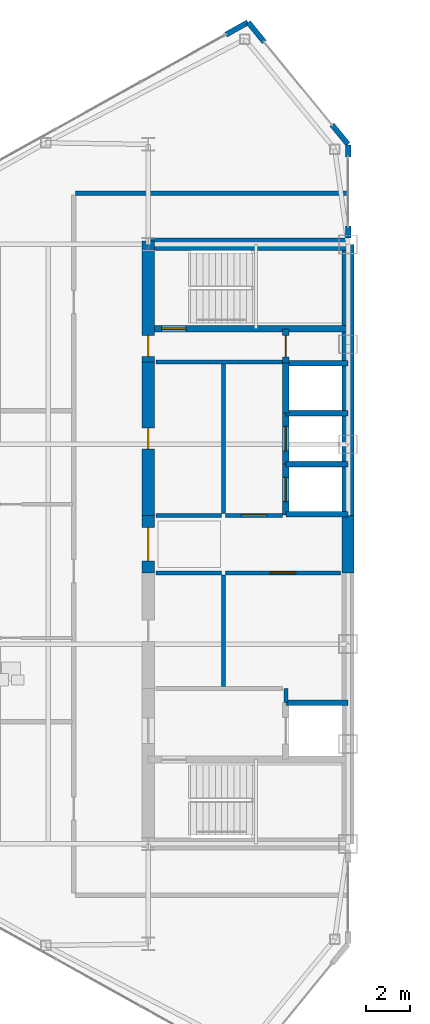
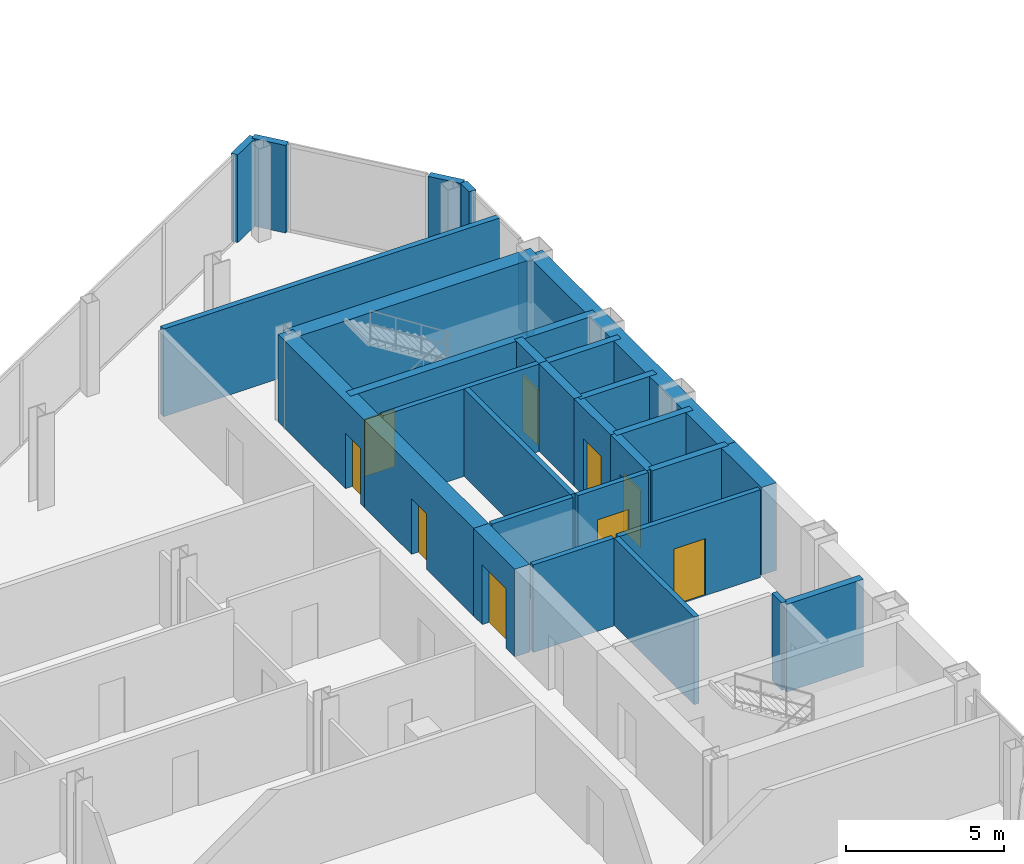
# One storey, part 20 of 26: 30 walls, 9 doors, 9 openings.
"""IFC4 building model written with IfcOpenShell, lengths in metres."""

from ifc_helpers import new_model, si_unit, direction, frame, frame_2d, origin, place, context, subcontext, project, spatial, rectangle, extrude, source, transform, mapped, material, layer, layer_set, type_object, type_shapes, element, fill, save


model = new_model("IFC4")

# Units and contexts
model_context = context("Model", 3, precision=1e-05, world=origin(), true_north=direction((0.0, 1.0)))
body_context = subcontext(model_context, "Body", "Model", "MODEL_VIEW")
ifc_project = project(units=[si_unit("LENGTHUNIT", "METRE"), si_unit("AREAUNIT", "SQUARE_METRE"), si_unit("VOLUMEUNIT", "CUBIC_METRE"), si_unit("PLANEANGLEUNIT", "RADIAN"), si_unit("MASSUNIT", "GRAM", prefix="KILO")], contexts=[model_context])

# Site, building, storey
site_placement = place(None, origin())
site = spatial("IfcSite", under=ifc_project, at=site_placement, CompositionType="ELEMENT")
building_placement = place(site_placement, origin())
building = spatial("IfcBuilding", under=site, at=building_placement, Name="Seokmaru Belvedere", CompositionType="ELEMENT")
storey_placement = place(building_placement, frame((0.0, 0.0, 170.699951171875)))
storey = spatial("IfcBuildingStorey", under=building, at=storey_placement, Name="L45", CompositionType="ELEMENT", Elevation=170.699951171875)

# Walls
ifc_material_1 = material(Name="Fire-Rated Gypsum Shaftwall")
ifc_layer_1 = layer(ifc_material_1, 0.179931640625)
ifc_layer_set_1 = layer_set([ifc_layer_1], Name="Fire-Rated Gypsum Shaftwall")
wall_type_1 = type_object("IfcWallType", Name="Core Service Fire Partition 180", PredefinedType="PARTITIONING", material=ifc_layer_set_1)
wall_1_placement = place(storey_placement, frame((-30.300048828125, -7.1201171875, 0.0), z_axis=(0.0, 0.0, 1.0), x_axis=(0.0, 1.0, 0.0)))
element("IfcWall", 1, at=wall_1_placement, inside=storey, type_object=wall_type_1, Name="L45 West Firefighting Lobby East Closure Wall", PredefinedType="PARTITIONING", context=body_context, shape_type="SweptSolid", body=[
    extrude(rectangle(XDim=0.6201171875, YDim=0.179931640625, at=frame_2d((0.31005859375, 0.0))), origin(), (0.0, 0.0, 1.0), 3.380126953125),
])
wall_2_placement = place(storey_placement, frame((-36.14990234375, 8.199951171875, 0.0), z_axis=(0.0, 0.0, 1.0), x_axis=(1.0, 0.0, 0.0)))
element("IfcWall", 2, at=wall_2_placement, inside=storey, type_object=wall_type_1, Name="L45 West Smokeproof Vestibule Partition", PredefinedType="PARTITIONING", context=body_context, shape_type="SweptSolid", body=[
    extrude(rectangle(XDim=5.699951171875, YDim=0.179931640625, at=frame_2d((2.85009765625, 0.0))), origin(), (0.0, 0.0, 1.0), 3.380126953125),
])
wall_3_placement = place(storey_placement, frame((-33.10009765625, -6.419921875, 0.0), z_axis=(0.0, 0.0, 1.0), x_axis=(0.0, 1.0, 0.0)))
element("IfcWall", 3, at=wall_3_placement, inside=storey, type_object=wall_type_1, Name="L45 West South Core Service Back Wall", PredefinedType="PARTITIONING", context=body_context, shape_type="SweptSolid", body=[
    extrude(rectangle(XDim=5.0400390625, YDim=0.179931640625, at=frame_2d((2.52001953125, 0.0))), origin(), (0.0, 0.0, 1.0), 3.380126953125),
])
wall_4_placement = place(storey_placement, frame((-33.10009765625, 1.3798828125, 0.0), z_axis=(0.0, 0.0, 1.0), x_axis=(0.0, 1.0, 0.0)))
element("IfcWall", 4, at=wall_4_placement, inside=storey, type_object=wall_type_1, Name="L45 West North Core Service Back Wall", PredefinedType="PARTITIONING", context=body_context, shape_type="SweptSolid", body=[
    extrude(rectangle(XDim=6.740234375, YDim=0.179931640625, at=frame_2d((3.3701171875, 0.0))), origin(), (0.0, 0.0, 1.0), 3.380126953125),
])

# Wall, opening, door
wall_5_placement = place(storey_placement, frame((-33.02001953125, -1.300048828125, 0.0), z_axis=(0.0, 0.0, 1.0), x_axis=(1.0, 0.0, 0.0)))
wall_5 = element("IfcWall", 5, at=wall_5_placement, inside=storey, type_object=wall_type_1, Name="L45 West South Lift Lobby Foyer Wall", PredefinedType="PARTITIONING", context=body_context, shape_type="SweptSolid", body=[
    extrude(rectangle(XDim=5.169921875, YDim=0.179931640625, at=frame_2d((2.5849609375, 0.0))), origin(), (0.0, 0.0, 1.0), 3.380126953125),
])
opening_1_placement = place(wall_5_placement, frame((2.010009765625, 0.0, 0.0)))
opening_1 = element("IfcOpeningElement", 6, at=opening_1_placement, cuts=wall_5, Name="Opening D02", PredefinedType="OPENING", context=body_context, shape_type="SweptSolid", body=[
    extrude(rectangle(XDim=1.14990234375, YDim=2.199951171875, at=frame_2d((0.574951171875, 1.10009765625))), frame((0.0, 0.10009765625, 0.0), z_axis=(0.0, -1.0, 0.0), x_axis=(1.0, 0.0, 0.0)), (0.0, 0.0, 1.0), 0.199951171875),
])
ifc_material_2 = material(Name="Fire-Rated Steel Leaf", Category="steel")
door_type_1 = type_object("IfcDoorType", Name="Lobby and Vestibule Fire Door 1150x2200", OperationType="NOTDEFINED", PredefinedType="DOOR", material=ifc_material_2)
shared_shape_1 = source(origin(), body_context, "Body", "SweptSolid", [
    extrude(rectangle(XDim=1.14990234375, YDim=2.199951171875, at=frame_2d((0.574951171875, 1.10009765625))), frame((0.0, 0.02490234375, 0.0), z_axis=(0.0, -1.0, 0.0), x_axis=(1.0, 0.0, 0.0)), (0.0, 0.0, 1.0), 0.050048828125),
])
type_shapes(door_type_1, [shared_shape_1])
door_1_placement = place(opening_1_placement, origin())
door_1 = element("IfcDoor", 7, at=door_1_placement, inside=storey, type_object=door_type_1, Name="L45 West South Core Foyer Door", OperationType="SINGLE_SWING_LEFT", OverallHeight=2.199951171875, OverallWidth=1.14990234375, PredefinedType="DOOR", context=body_context, shape_type="MappedRepresentation", body=[
    mapped(shared_shape_1, transform((0.0, 0.0, 0.0), scale=1.0)),
])
fill(opening_1, door_1)

wall_6_placement = place(storey_placement, frame((-33.02001953125, 1.300048828125, 0.0), z_axis=(0.0, 0.0, 1.0), x_axis=(1.0, 0.0, 0.0)))
wall_6 = element("IfcWall", 8, at=wall_6_placement, inside=storey, type_object=wall_type_1, Name="L45 West North Lift Lobby Foyer Wall", PredefinedType="PARTITIONING", context=body_context, shape_type="SweptSolid", body=[
    extrude(rectangle(XDim=2.570068359375, YDim=0.179931640625, at=frame_2d((1.28515625, 0.0))), origin(), (0.0, 0.0, 1.0), 3.380126953125),
])
opening_2_placement = place(wall_6_placement, frame((0.7099609375, 0.0, 0.0)))
opening_2 = element("IfcOpeningElement", 9, at=opening_2_placement, cuts=wall_6, Name="Opening D02", PredefinedType="OPENING", context=body_context, shape_type="SweptSolid", body=[
    extrude(rectangle(XDim=1.14990234375, YDim=2.199951171875, at=frame_2d((0.574951171875, 1.10009765625))), frame((0.0, 0.10009765625, 0.0), z_axis=(0.0, -1.0, 0.0), x_axis=(1.0, 0.0, 0.0)), (0.0, 0.0, 1.0), 0.199951171875),
])
door_2_placement = place(opening_2_placement, origin())
door_2 = element("IfcDoor", 10, at=door_2_placement, inside=storey, type_object=door_type_1, Name="L45 West North Lift Lobby Door", OperationType="SINGLE_SWING_RIGHT", OverallHeight=2.199951171875, OverallWidth=1.14990234375, PredefinedType="DOOR", context=body_context, shape_type="MappedRepresentation", body=[
    mapped(shared_shape_1, transform((0.0, 0.0, 0.0), scale=1.0)),
])
fill(opening_2, door_2)

# Walls
for number, where, z_axis, x_axis, name in (
    (11, (-36.14990234375, -1.300048828125, 0.0), (0.0, 0.0, 1.0), (1.0, 0.0, 0.0), "L45 West Foyer Side Wall S"),
    (12, (-36.14990234375, 1.300048828125, 0.0), (0.0, 0.0, 1.0), (1.0, 0.0, 0.0), "L45 West Foyer Side Wall N"),
):
    element("IfcWall", number, at=place(storey_placement, frame(where, z_axis=z_axis, x_axis=x_axis)), inside=storey, type_object=wall_type_1, Name=name, PredefinedType="PARTITIONING", context=body_context, shape_type="SweptSolid", body=[
        extrude(rectangle(XDim=2.949951171875, YDim=0.179931640625, at=frame_2d((1.47509765625, 0.0))), origin(), (0.0, 0.0, 1.0), 3.380126953125),
    ])
ifc_material_3 = material(Name="Concrete C50 (50 MPa)", Category="concrete")
ifc_layer_2 = layer(ifc_material_3, 0.25)
ifc_layer_set_2 = layer_set([ifc_layer_2], Name="Concrete C50 (50 MPa)")
wall_type_2 = type_object("IfcWallType", Name="Hoistway Transverse Concrete Divider Wall 250", PredefinedType="SHEAR", material=ifc_layer_set_2)
for number, where, z_axis, x_axis, name in (
    (13, (-30.300048828125, -7.14990234375, 0.0), (0.0, 0.0, 1.0), (1.0, 0.0, 0.0), "L45 West Hoistway Divider Core Wall 1"),
    (14, (-30.300048828125, 1.35009765625, 0.0), (0.0, 0.0, 1.0), (1.0, 0.0, 0.0), "L45 West Hoistway Divider Core Wall 2"),
    (15, (-30.300048828125, 3.60009765625, 0.0), (0.0, 0.0, 1.0), (1.0, 0.0, 0.0), "L45 West Hoistway Divider Core Wall 3"),
    (16, (-30.300048828125, 5.89990234375, 0.0), (0.0, 0.0, 1.0), (1.0, 0.0, 0.0), "L45 West Hoistway Divider Core Wall 4"),
    (17, (-30.300048828125, 8.14990234375, 0.0), (0.0, 0.0, 1.0), (1.0, 0.0, 0.0), "L45 West Hoistway Divider Core Wall 5"),
):
    element("IfcWall", number, at=place(storey_placement, frame(where, z_axis=z_axis, x_axis=x_axis)), inside=storey, type_object=wall_type_2, Name=name, PredefinedType="SHEAR", context=body_context, shape_type="SweptSolid", body=[
        extrude(rectangle(XDim=2.800048828125, YDim=0.25, at=frame_2d((1.39990234375, 0.0))), origin(), (0.0, 0.0, 1.0), 3.380126953125),
    ])
ifc_layer_3 = layer(ifc_material_1, 0.199951171875)
ifc_layer_set_3 = layer_set([ifc_layer_3], Name="Fire-Rated Gypsum Shaftwall")
wall_type_3 = type_object("IfcWallType", Name="Inter-Tenancy Fire Compartment Partition 200", PredefinedType="PARTITIONING", material=ifc_layer_set_3)
wall_7_placement = place(storey_placement, frame((-39.764892578125, 15.800048828125, 0.0), z_axis=(0.0, 0.0, 1.0), x_axis=(1.0, 0.0, 0.0)))
element("IfcWall", 18, at=wall_7_placement, inside=storey, type_object=wall_type_3, Name="L45 Interior Partition 019", PredefinedType="PARTITIONING", context=body_context, shape_type="SweptSolid", body=[
    extrude(rectangle(XDim=12.264892578125, YDim=0.199951171875, at=frame_2d((6.13232421875, 0.0))), origin(), (0.0, 0.0, 1.0), 3.380126953125),
])

# Wall, opening, door
ifc_layer_4 = layer(ifc_material_3, 0.300048828125)
ifc_layer_set_4 = layer_set([ifc_layer_4], Name="Concrete C50 (50 MPa)")
wall_type_4 = type_object("IfcWallType", Name="Internal Core Stair and Hoistway Wall 300", PredefinedType="SHEAR", material=ifc_layer_set_4)
wall_8_placement = place(storey_placement, frame((-36.5, 9.699951171875, 0.0), z_axis=(0.0, 0.0, 1.0), x_axis=(1.0, 0.0, 0.0)))
wall_8 = element("IfcWall", 19, at=wall_8_placement, inside=storey, type_object=wall_type_4, Name="L45 West Stair ST-2 Enclosure Wall", PredefinedType="SHEAR", context=body_context, shape_type="SweptSolid", body=[
    extrude(rectangle(XDim=9.0, YDim=0.300048828125, at=frame_2d((4.5, 0.0))), origin(), (0.0, 0.0, 1.0), 3.380126953125),
])
opening_3_placement = place(wall_8_placement, frame((0.60009765625, 0.0, 0.0)))
opening_3 = element("IfcOpeningElement", 20, at=opening_3_placement, cuts=wall_8, Name="Opening D01", PredefinedType="OPENING", context=body_context, shape_type="SweptSolid", body=[
    extrude(rectangle(XDim=1.10009765625, YDim=2.199951171875, at=frame_2d((0.550048828125, 1.10009765625))), frame((0.0, 0.16015625, 0.0), z_axis=(0.0, -1.0, 0.0), x_axis=(1.0, 0.0, 0.0)), (0.0, 0.0, 1.0), 0.320068359375),
])
door_type_2 = type_object("IfcDoorType", Name="Special Escape Stair Smokeproof Fire Door 1100x2200", OperationType="NOTDEFINED", PredefinedType="DOOR", material=ifc_material_2)
shared_shape_2 = source(origin(), body_context, "Body", "SweptSolid", [
    extrude(rectangle(XDim=1.10009765625, YDim=2.199951171875, at=frame_2d((0.550048828125, 1.10009765625))), frame((0.0, 0.02490234375, 0.0), z_axis=(0.0, -1.0, 0.0), x_axis=(1.0, 0.0, 0.0)), (0.0, 0.0, 1.0), 0.050048828125),
])
type_shapes(door_type_2, [shared_shape_2])
door_3_placement = place(opening_3_placement, origin())
door_3 = element("IfcDoor", 21, at=door_3_placement, inside=storey, type_object=door_type_2, Name="L45 West Special Escape Stair ST-2 Door", OperationType="SINGLE_SWING_RIGHT", OverallHeight=2.199951171875, OverallWidth=1.10009765625, PredefinedType="DOOR", context=body_context, shape_type="MappedRepresentation", body=[
    mapped(shared_shape_2, transform((0.0, 0.0, 0.0), scale=1.0)),
])
fill(opening_3, door_3)

wall_9_placement = place(storey_placement, frame((-30.300048828125, 1.320068359375, 0.0), z_axis=(0.0, 0.0, 1.0), x_axis=(0.0, 1.0, 0.0)))
wall_9 = element("IfcWall", 22, at=wall_9_placement, inside=storey, type_object=wall_type_4, Name="L45 West North Hoistway Wall PH1", PredefinedType="SHEAR", context=body_context, shape_type="SweptSolid", body=[
    extrude(rectangle(XDim=2.280029296875, YDim=0.300048828125, at=frame_2d((1.14013671875, 0.0))), origin(), (0.0, 0.0, 1.0), 3.380126953125),
])
opening_4_placement = place(wall_9_placement, frame((0.590087890625, 0.0, 0.0)))
opening_4 = element("IfcOpeningElement", 23, at=opening_4_placement, cuts=wall_9, Name="Opening LD1", PredefinedType="OPENING", context=body_context, shape_type="SweptSolid", body=[
    extrude(rectangle(XDim=1.10009765625, YDim=2.199951171875, at=frame_2d((0.550048828125, 1.10009765625))), frame((0.0, 0.16015625, 0.0), z_axis=(0.0, -1.0, 0.0), x_axis=(1.0, 0.0, 0.0)), (0.0, 0.0, 1.0), 0.320068359375),
])
ifc_material_4 = material(Name="Stainless Steel 316", Category="steel")
door_type_3 = type_object("IfcDoorType", Name="Passenger Lift Sliding Landing Door 1100x2200", OperationType="DOUBLE_DOOR_SLIDING", PredefinedType="DOOR", material=ifc_material_4)
shared_shape_3 = source(origin(), body_context, "Body", "SweptSolid", [
    extrude(rectangle(XDim=1.10009765625, YDim=2.199951171875, at=frame_2d((0.550048828125, 1.10009765625))), frame((0.0, 0.02490234375, 0.0), z_axis=(0.0, -1.0, 0.0), x_axis=(1.0, 0.0, 0.0)), (0.0, 0.0, 1.0), 0.050048828125),
])
type_shapes(door_type_3, [shared_shape_3])
door_4_placement = place(opening_4_placement, origin())
door_4 = element("IfcDoor", 24, at=door_4_placement, inside=storey, type_object=door_type_3, Name="L45 West High-Rise Lift PH-1 Landing Door", OperationType="DOUBLE_DOOR_SLIDING", OverallHeight=2.199951171875, OverallWidth=1.10009765625, PredefinedType="DOOR", context=body_context, shape_type="MappedRepresentation", body=[
    mapped(shared_shape_3, transform((0.0, 0.0, 0.0), scale=1.0)),
])
fill(opening_4, door_4)

wall_10_placement = place(storey_placement, frame((-30.300048828125, 3.60009765625, 0.0), z_axis=(0.0, 0.0, 1.0), x_axis=(0.0, 1.0, 0.0)))
wall_10 = element("IfcWall", 25, at=wall_10_placement, inside=storey, type_object=wall_type_4, Name="L45 West North Hoistway Wall PH2", PredefinedType="SHEAR", context=body_context, shape_type="SweptSolid", body=[
    extrude(rectangle(XDim=2.2998046875, YDim=0.300048828125, at=frame_2d((1.14990234375, 0.0))), origin(), (0.0, 0.0, 1.0), 3.380126953125),
])
opening_5_placement = place(wall_10_placement, frame((0.60009765625, 0.0, 0.0)))
opening_5 = element("IfcOpeningElement", 26, at=opening_5_placement, cuts=wall_10, Name="Opening LD1", PredefinedType="OPENING", context=body_context, shape_type="SweptSolid", body=[
    extrude(rectangle(XDim=1.10009765625, YDim=2.199951171875, at=frame_2d((0.550048828125, 1.10009765625))), frame((0.0, 0.16015625, 0.0), z_axis=(0.0, -1.0, 0.0), x_axis=(1.0, 0.0, 0.0)), (0.0, 0.0, 1.0), 0.320068359375),
])
door_5_placement = place(opening_5_placement, origin())
door_5 = element("IfcDoor", 27, at=door_5_placement, inside=storey, type_object=door_type_3, Name="L45 West High-Rise Lift PH-2 Landing Door", OperationType="DOUBLE_DOOR_SLIDING", OverallHeight=2.199951171875, OverallWidth=1.10009765625, PredefinedType="DOOR", context=body_context, shape_type="MappedRepresentation", body=[
    mapped(shared_shape_3, transform((0.0, 0.0, 0.0), scale=1.0)),
])
fill(opening_5, door_5)

# Wall
wall_11_placement = place(storey_placement, frame((-30.300048828125, 5.89990234375, 0.0), z_axis=(0.0, 0.0, 1.0), x_axis=(0.0, 1.0, 0.0)))
element("IfcWall", 28, at=wall_11_placement, inside=storey, type_object=wall_type_4, Name="L45 West North Hoistway Wall OBS", PredefinedType="SHEAR", context=body_context, shape_type="SweptSolid", body=[
    extrude(rectangle(XDim=2.25, YDim=0.300048828125, at=frame_2d((1.125, 0.0))), origin(), (0.0, 0.0, 1.0), 3.380126953125),
])

# Wall, opening, door
wall_12_placement = place(storey_placement, frame((-30.300048828125, 8.14990234375, 0.0), z_axis=(0.0, 0.0, 1.0), x_axis=(0.0, 1.0, 0.0)))
wall_12 = element("IfcWall", 29, at=wall_12_placement, inside=storey, type_object=wall_type_4, Name="L45 West Electrical Riser Front Wall", PredefinedType="SHEAR", context=body_context, shape_type="SweptSolid", body=[
    extrude(rectangle(XDim=1.530029296875, YDim=0.300048828125, at=frame_2d((0.76513671875, 0.0))), origin(), (0.0, 0.0, 1.0), 3.380126953125),
])
opening_6_placement = place(wall_12_placement, frame((0.284912109375, 0.0, 0.0)))
opening_6 = element("IfcOpeningElement", 30, at=opening_6_placement, cuts=wall_12, Name="Opening D04", PredefinedType="OPENING", context=body_context, shape_type="SweptSolid", body=[
    extrude(rectangle(XDim=0.949951171875, YDim=2.14990234375, at=frame_2d((0.47509765625, 1.074951171875))), frame((0.0, 0.16015625, 0.0), z_axis=(0.0, -1.0, 0.0), x_axis=(1.0, 0.0, 0.0)), (0.0, 0.0, 1.0), 0.320068359375),
])
door_type_4 = type_object("IfcDoorType", Name="Core Service Room Fire Door 950x2150", OperationType="NOTDEFINED", PredefinedType="DOOR", material=ifc_material_2)
shared_shape_4 = source(origin(), body_context, "Body", "SweptSolid", [
    extrude(rectangle(XDim=0.949951171875, YDim=2.14990234375, at=frame_2d((0.47509765625, 1.074951171875))), frame((0.0, 0.02490234375, 0.0), z_axis=(0.0, -1.0, 0.0), x_axis=(1.0, 0.0, 0.0)), (0.0, 0.0, 1.0), 0.050048828125),
])
type_shapes(door_type_4, [shared_shape_4])
door_6_placement = place(opening_6_placement, origin())
door_6 = element("IfcDoor", 31, at=door_6_placement, inside=storey, type_object=door_type_4, Name="L45 West Electrical Riser Access Door", OperationType="SINGLE_SWING_LEFT", OverallHeight=2.14990234375, OverallWidth=0.949951171875, PredefinedType="DOOR", context=body_context, shape_type="MappedRepresentation", body=[
    mapped(shared_shape_4, transform((0.0, 0.0, 0.0), scale=1.0)),
])
fill(opening_6, door_6)

# Walls
ifc_layer_5 = layer(ifc_material_3, 0.550048828125)
ifc_layer_set_5 = layer_set([ifc_layer_5], Name="Concrete C50 (50 MPa)")
wall_type_5 = type_object("IfcWallType", Name="Mid-High Reinforced Concrete Core Wall 550", PredefinedType="SHEAR", material=ifc_layer_set_5)
wall_13_placement = place(storey_placement, frame((-27.5, 1.300048828125, 0.0), z_axis=(0.0, 0.0, 1.0), x_axis=(0.0, 1.0, 0.0)))
element("IfcWall", 32, at=wall_13_placement, inside=storey, type_object=wall_type_5, Name="L45 West Portal Spine Core Wall North", PredefinedType="SHEAR", context=body_context, shape_type="SweptSolid", body=[
    extrude(rectangle(XDim=12.199951171875, YDim=0.550048828125, at=frame_2d((6.10009765625, 0.0))), origin(), (0.0, 0.0, 1.0), 3.380126953125),
])
wall_14_placement = place(storey_placement, frame((-27.5, -1.300048828125, 0.0), z_axis=(0.0, 0.0, 1.0), x_axis=(0.0, 1.0, 0.0)))
element("IfcWall", 33, at=wall_14_placement, inside=storey, type_object=wall_type_5, Name="L45 West Portal Spine Core Wall Center", PredefinedType="SHEAR", context=body_context, shape_type="SweptSolid", body=[
    extrude(rectangle(XDim=2.60009765625, YDim=0.550048828125, at=frame_2d((1.300048828125, 0.0))), origin(), (0.0, 0.0, 1.0), 3.380126953125),
])
wall_15_placement = place(storey_placement, frame((-36.5, 13.5, 0.0), z_axis=(0.0, 0.0, 1.0), x_axis=(1.0, 0.0, 0.0)))
element("IfcWall", 34, at=wall_15_placement, inside=storey, type_object=wall_type_5, Name="L45 West North Core Wall", PredefinedType="SHEAR", context=body_context, shape_type="SweptSolid", body=[
    extrude(rectangle(XDim=9.0, YDim=0.550048828125, at=frame_2d((4.5, 0.0))), origin(), (0.0, 0.0, 1.0), 3.380126953125),
])

# Wall, opening, door
wall_16_placement = place(storey_placement, frame((-36.5, -1.300048828125, 0.0), z_axis=(0.0, 0.0, 1.0), x_axis=(0.0, 1.0, 0.0)))
wall_16 = element("IfcWall", 35, at=wall_16_placement, inside=storey, type_object=wall_type_5, Name="L45 West West Core Wall FOY", PredefinedType="SHEAR", context=body_context, shape_type="SweptSolid", body=[
    extrude(rectangle(XDim=2.60009765625, YDim=0.550048828125, at=frame_2d((1.300048828125, 0.0))), origin(), (0.0, 0.0, 1.0), 3.380126953125),
])
opening_7_placement = place(wall_16_placement, frame((0.550048828125, 0.0, 0.0)))
opening_7 = element("IfcOpeningElement", 36, at=opening_7_placement, cuts=wall_16, Name="Opening D08", PredefinedType="OPENING", context=body_context, shape_type="SweptSolid", body=[
    extrude(rectangle(XDim=1.5, YDim=2.300048828125, at=frame_2d((0.75, 1.14990234375))), frame((0.0, 0.28515625, 0.0), z_axis=(0.0, -1.0, 0.0), x_axis=(1.0, 0.0, 0.0)), (0.0, 0.0, 1.0), 0.570068359375),
])
door_type_5 = type_object("IfcDoorType", Name="Cross-Corridor Compartment Double Fire Door 1500x2300", OperationType="DOUBLE_SWING_LEFT", PredefinedType="DOOR", material=ifc_material_2)
shared_shape_5 = source(origin(), body_context, "Body", "SweptSolid", [
    extrude(rectangle(XDim=1.5, YDim=2.300048828125, at=frame_2d((0.75, 1.14990234375))), frame((0.0, 0.02490234375, 0.0), z_axis=(0.0, -1.0, 0.0), x_axis=(1.0, 0.0, 0.0)), (0.0, 0.0, 1.0), 0.050048828125),
])
type_shapes(door_type_5, [shared_shape_5])
door_7_placement = place(opening_7_placement, origin())
door_7 = element("IfcDoor", 37, at=door_7_placement, inside=storey, type_object=door_type_5, Name="L45 West Core Foyer Compartment Door", OperationType="DOUBLE_SWING_LEFT", OverallHeight=2.300048828125, OverallWidth=1.5, PredefinedType="DOOR", context=body_context, shape_type="MappedRepresentation", body=[
    mapped(shared_shape_5, transform((0.0, 0.0, 0.0), scale=1.0)),
])
fill(opening_7, door_7)

wall_17_placement = place(storey_placement, frame((-36.5, 8.199951171875, 0.0), z_axis=(0.0, 0.0, 1.0), x_axis=(0.0, 1.0, 0.0)))
wall_17 = element("IfcWall", 38, at=wall_17_placement, inside=storey, type_object=wall_type_5, Name="L45 West West Core Wall VST", PredefinedType="SHEAR", context=body_context, shape_type="SweptSolid", body=[
    extrude(rectangle(XDim=5.449951171875, YDim=0.550048828125, at=frame_2d((2.72509765625, 0.0))), origin(), (0.0, 0.0, 1.0), 3.380126953125),
])
opening_8_placement = place(wall_17_placement, frame((0.2451171875, 0.0, 0.0)))
opening_8 = element("IfcOpeningElement", 39, at=opening_8_placement, cuts=wall_17, Name="Opening D04", PredefinedType="OPENING", context=body_context, shape_type="SweptSolid", body=[
    extrude(rectangle(XDim=0.949951171875, YDim=2.14990234375, at=frame_2d((0.47509765625, 1.074951171875))), frame((0.0, 0.28515625, 0.0), z_axis=(0.0, -1.0, 0.0), x_axis=(1.0, 0.0, 0.0)), (0.0, 0.0, 1.0), 0.570068359375),
])
door_8_placement = place(opening_8_placement, frame((0.949951171875, 0.0, 0.0), z_axis=(0.0, 0.0, 1.0), x_axis=(-1.0, 0.0, 0.0)))
door_8 = element("IfcDoor", 40, at=door_8_placement, inside=storey, type_object=door_type_4, Name="L45 West Smokeproof Vestibule Door", OperationType="SINGLE_SWING_RIGHT", OverallHeight=2.14990234375, OverallWidth=0.949951171875, PredefinedType="DOOR", context=body_context, shape_type="MappedRepresentation", body=[
    mapped(shared_shape_4, transform((0.0, 0.0, 0.0), scale=1.0)),
])
fill(opening_8, door_8)

wall_18_placement = place(storey_placement, frame((-36.5, 1.300048828125, 0.0), z_axis=(0.0, 0.0, 1.0), x_axis=(0.0, 1.0, 0.0)))
wall_18 = element("IfcWall", 41, at=wall_18_placement, inside=storey, type_object=wall_type_5, Name="L45 West West Core Wall CS2", PredefinedType="SHEAR", context=body_context, shape_type="SweptSolid", body=[
    extrude(rectangle(XDim=6.89990234375, YDim=0.550048828125, at=frame_2d((3.449951171875, 0.0))), origin(), (0.0, 0.0, 1.0), 3.380126953125),
])
opening_9_placement = place(wall_18_placement, frame((2.97509765625, 0.0, 0.0)))
opening_9 = element("IfcOpeningElement", 42, at=opening_9_placement, cuts=wall_18, Name="Opening D04", PredefinedType="OPENING", context=body_context, shape_type="SweptSolid", body=[
    extrude(rectangle(XDim=0.949951171875, YDim=2.14990234375, at=frame_2d((0.47509765625, 1.074951171875))), frame((0.0, 0.28515625, 0.0), z_axis=(0.0, -1.0, 0.0), x_axis=(1.0, 0.0, 0.0)), (0.0, 0.0, 1.0), 0.570068359375),
])
door_9_placement = place(opening_9_placement, origin())
door_9 = element("IfcDoor", 43, at=door_9_placement, inside=storey, type_object=door_type_4, Name="L45 West Core Service Room Door 2", OperationType="SINGLE_SWING_RIGHT", OverallHeight=2.14990234375, OverallWidth=0.949951171875, PredefinedType="DOOR", context=body_context, shape_type="MappedRepresentation", body=[
    mapped(shared_shape_4, transform((0.0, 0.0, 0.0), scale=1.0)),
])
fill(opening_9, door_9)

# Walls
ifc_material_5 = material(Name="Anodised Bronze Aluminium", Category="aluminium")
ifc_layer_6 = layer(ifc_material_5, 0.239990234375)
ifc_layer_set_6 = layer_set([ifc_layer_6], Name="Anodised Bronze Aluminium")
wall_type_6 = type_object("IfcWallType", Name="Tower Corner Spandrel Closure Wall 240", PredefinedType="SOLIDWALL", material=ifc_layer_set_6)
wall_19_placement = place(storey_placement, frame((-27.5, 13.780029296875, 0.0), z_axis=(0.0, 0.0, 1.0), x_axis=(0.0, 1.0, 0.0)))
element("IfcWall", 44, at=wall_19_placement, inside=storey, type_object=wall_type_6, Name="L45 W Spine Closure Pier 2A", PredefinedType="SOLIDWALL", context=body_context, shape_type="SweptSolid", body=[
    extrude(rectangle(XDim=0.550048828125, YDim=0.239990234375, at=frame_2d((0.27490234375, 0.0))), origin(), (0.0, 0.0, 1.0), 2.880126953125),
])
wall_20_placement = place(storey_placement, frame((-27.5, 17.429931640625, 0.0), z_axis=(0.0, 0.0, 1.0), x_axis=(0.0, 1.0, 0.0)))
element("IfcWall", 45, at=wall_20_placement, inside=storey, type_object=wall_type_6, Name="L45 W Spine Closure Pier 2B", PredefinedType="SOLIDWALL", context=body_context, shape_type="SweptSolid", body=[
    extrude(rectangle(XDim=0.550048828125, YDim=0.239990234375, at=frame_2d((0.27490234375, 0.0))), origin(), (0.0, 0.0, 1.0), 3.380126953125),
])
for number, where, z_axis, x_axis, name in (
    (46, (-27.50634765625, 18.0078125, 0.0), (0.0, 0.0, 1.0), (-0.633249451965, 0.77394775766, 0.0), "L45 W Corner Closure Pier 2A"),
    (47, (-31.271728515625, 22.60986328125, 0.0), (0.0, 0.0, 1.0), (-0.633249451965, 0.77394775766, 0.0), "L45 W Corner Closure Pier 2B"),
):
    element("IfcWall", number, at=place(storey_placement, frame(where, z_axis=z_axis, x_axis=x_axis)), inside=storey, type_object=wall_type_6, Name=name, PredefinedType="SOLIDWALL", context=body_context, shape_type="SweptSolid", body=[
        extrude(rectangle(XDim=1.14013671875, YDim=0.239990234375, at=frame_2d((0.570068359375, 0.0))), origin(), (0.0, 0.0, 1.0), 3.380126953125),
    ])
wall_21_placement = place(storey_placement, frame((-32.0087890625, 23.4951171875, 0.0), z_axis=(0.0, 0.0, 1.0), x_axis=(-0.87385402111, -0.486188389196, 0.0)))
element("IfcWall", 48, at=wall_21_placement, inside=storey, type_object=wall_type_6, Name="L45 W Corner Closure Pier 3A", PredefinedType="SOLIDWALL", context=body_context, shape_type="SweptSolid", body=[
    extrude(rectangle(XDim=1.139892578125, YDim=0.239990234375, at=frame_2d((0.56982421875, 0.0))), origin(), (0.0, 0.0, 1.0), 3.380126953125),
])

save(model, "model.ifc")
